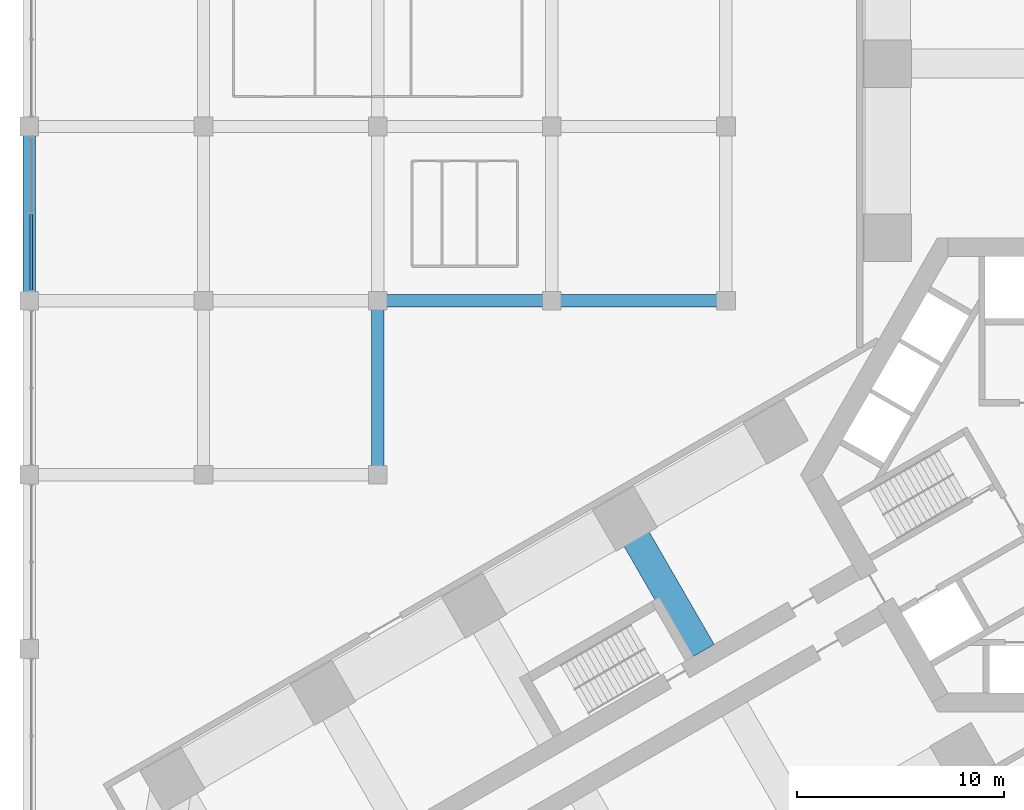
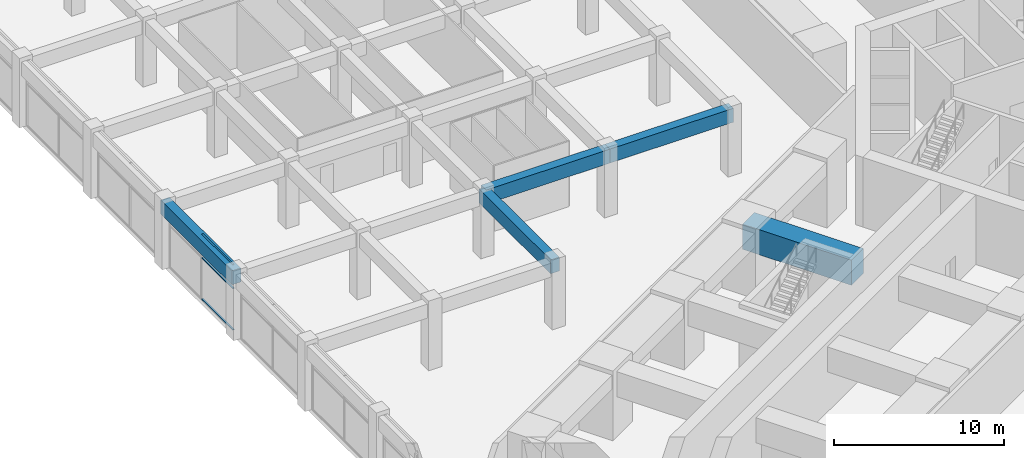
# One storey, part 8 of 36: 5 beams, 3 members, 1 element without a shape of its own.
"""IFC4 building model written with IfcOpenShell, lengths in metres."""

from ifc_helpers import new_model, si_unit, direction, frame, origin, origin_2d, place, context, subcontext, project, spatial, rectangle, extrude, material, material_profile, profile_set, type_object, element, aggregate, save


model = new_model("IFC4")

# Units and contexts
model_context = context("Model", 3, precision=1e-05, world=origin(), true_north=direction((0.0, 1.0)))
body_context = subcontext(model_context, "Body", "Model", "MODEL_VIEW")
ifc_project = project(units=[si_unit("LENGTHUNIT", "METRE"), si_unit("AREAUNIT", "SQUARE_METRE"), si_unit("VOLUMEUNIT", "CUBIC_METRE"), si_unit("PLANEANGLEUNIT", "RADIAN"), si_unit("MASSUNIT", "GRAM", prefix="KILO")], contexts=[model_context])

# Site, building, storey
site_placement = place(None, origin())
site = spatial("IfcSite", under=ifc_project, at=site_placement, CompositionType="ELEMENT")
building_placement = place(site_placement, origin())
building = spatial("IfcBuilding", under=site, at=building_placement, Name="Impinga Residences", CompositionType="ELEMENT")
storey_placement = place(building_placement, frame((0.0, 0.0, 6.0)))
storey = spatial("IfcBuildingStorey", under=building, at=storey_placement, Name="L01", CompositionType="ELEMENT", Elevation=6.0)

# Beam
ifc_material_1 = material(Name="Concrete C60/75", Category="concrete")
ifc_material_profile_1 = material_profile(ifc_material_1, rectangle(XDim=1.39990234375, YDim=1.800048828125, at=origin_2d()), Name="RC 1400x1800")
ifc_profile_set_1 = profile_set([ifc_material_profile_1], Name="Concrete C60/75")
beam_type_1 = type_object("IfcBeamType", Name="CG4 1400x1800 cross girder on a wing bay line under the podium floors", PredefinedType="BEAM", material=ifc_profile_set_1)
beam_1_placement = place(storey_placement, frame((-17.974609375, -8.530029296875, 3.800048828125), z_axis=(-0.500003285667, 0.866023506795, 0.0), x_axis=(-0.866023506795, -0.500003285667, 0.0)))
element("IfcBeam", 1, at=beam_1_placement, inside=storey, type_object=beam_type_1, Name="Beam CG4 W2 WC/WF level L02", PredefinedType="BEAM", context=body_context, shape_type="SweptSolid", body=[
    extrude(rectangle(XDim=1.39990234375, YDim=1.800048828125, at=origin_2d()), origin(), (0.0, 0.0, 1.0), 7.39990234375),
])

# Curtain wall, members
ifc_material_2 = material(Name="Aluminium stick curtain wall", Category="aluminium")
curtain_wall_type = type_object("IfcCurtainWallType", Name="CW1 podium amenity curtain wall", PredefinedType="USERDEFINED", material=ifc_material_2)
curtain_wall_placement = place(storey_placement, origin())
curtain_wall = element("IfcCurtainWall", 2, at=curtain_wall_placement, inside=storey, type_object=curtain_wall_type, Name="Curtain wall CW1 L01", ObjectType="STICK CURTAIN WALL", PredefinedType="USERDEFINED")
ifc_material_3 = material(Name="Aluminium transom", Category="aluminium")
ifc_material_profile_2 = material_profile(ifc_material_3, rectangle(XDim=0.06005859375, YDim=0.1201171875, at=origin_2d()), Name="60x120 transom")
ifc_profile_set_2 = profile_set([ifc_material_profile_2], Name="Aluminium transom")
member_type = type_object("IfcMemberType", Name="CW1-T transom 60x120", PredefinedType="USERDEFINED", material=ifc_profile_set_2)
member_1_placement = place(storey_placement, frame((-50.300048828125, 8.9130859375, 0.030029296875), z_axis=(0.0, 1.0, 0.0), x_axis=(0.0, 0.0, 1.0)))
member_1 = element("IfcMember", 3, at=member_1_placement, type_object=member_type, Name="CW1 transom 1.1", ObjectType="TRANSOM", PredefinedType="USERDEFINED", context=body_context, shape_type="SweptSolid", body=[
    extrude(rectangle(XDim=0.06005859375, YDim=0.1201171875, at=origin_2d()), origin(), (0.0, 0.0, 1.0), 3.656982421875),
])
member_2_placement = place(storey_placement, frame((-50.300048828125, 8.9130859375, 3.0), z_axis=(0.0, 1.0, 0.0), x_axis=(0.0, 0.0, 1.0)))
member_2 = element("IfcMember", 4, at=member_2_placement, type_object=member_type, Name="CW1 transom 1.2", ObjectType="TRANSOM", PredefinedType="USERDEFINED", context=body_context, shape_type="SweptSolid", body=[
    extrude(rectangle(XDim=0.06005859375, YDim=0.1201171875, at=origin_2d()), origin(), (0.0, 0.0, 1.0), 3.656982421875),
])
member_3_placement = place(storey_placement, frame((-50.300048828125, 8.9130859375, 4.669921875), z_axis=(0.0, 1.0, 0.0), x_axis=(0.0, 0.0, 1.0)))
member_3 = element("IfcMember", 5, at=member_3_placement, type_object=member_type, Name="CW1 transom 1.3", ObjectType="TRANSOM", PredefinedType="USERDEFINED", context=body_context, shape_type="SweptSolid", body=[
    extrude(rectangle(XDim=0.06005859375, YDim=0.1201171875, at=origin_2d()), origin(), (0.0, 0.0, 1.0), 3.656982421875),
])
aggregate(curtain_wall, [member_1, member_2, member_3])

# Beams
ifc_material_profile_3 = material_profile(ifc_material_1, rectangle(XDim=0.60009765625, YDim=1.0, at=origin_2d()), Name="RC 600x1000")
ifc_profile_set_3 = profile_set([ifc_material_profile_3], Name="Concrete C60/75")
beam_type_2 = type_object("IfcBeamType", Name="PB2 600x1000 podium beam", PredefinedType="BEAM", material=ifc_profile_set_3)
beam_2_placement = place(storey_placement, frame((-33.60009765625, 8.39990234375, 4.199951171875), z_axis=(1.0, 0.0, 0.0), x_axis=(0.0, 1.0, 0.0)))
element("IfcBeam", 6, at=beam_2_placement, inside=storey, type_object=beam_type_2, Name="Beam PB2 G/3-4 level L02", PredefinedType="BEAM", context=body_context, shape_type="SweptSolid", body=[
    extrude(rectangle(XDim=0.60009765625, YDim=1.0, at=origin_2d()), origin(), (0.0, 0.0, 1.0), 8.400146484375),
])
beam_3_placement = place(storey_placement, frame((-25.199951171875, 8.39990234375, 4.199951171875), z_axis=(1.0, 0.0, 0.0), x_axis=(0.0, 1.0, 0.0)))
element("IfcBeam", 7, at=beam_3_placement, inside=storey, type_object=beam_type_2, Name="Beam PB2 G/4-5 level L02", PredefinedType="BEAM", context=body_context, shape_type="SweptSolid", body=[
    extrude(rectangle(XDim=0.60009765625, YDim=1.0, at=origin_2d()), origin(), (0.0, 0.0, 1.0), 8.39990234375),
])
beam_4_placement = place(storey_placement, frame((-50.39990234375, 8.39990234375, 4.199951171875), z_axis=(0.0, 1.0, 0.0), x_axis=(-1.0, 0.0, 0.0)))
element("IfcBeam", 8, at=beam_4_placement, inside=storey, type_object=beam_type_2, Name="Beam PB2 1/G-H level L02", PredefinedType="BEAM", context=body_context, shape_type="SweptSolid", body=[
    extrude(rectangle(XDim=0.60009765625, YDim=1.0, at=origin_2d()), origin(), (0.0, 0.0, 1.0), 8.400146484375),
])
beam_5_placement = place(storey_placement, frame((-33.60009765625, 0.0, 4.199951171875), z_axis=(0.0, 1.0, 0.0), x_axis=(-1.0, 0.0, 0.0)))
element("IfcBeam", 9, at=beam_5_placement, inside=storey, type_object=beam_type_2, Name="Beam PB2 3/F-G level L02", PredefinedType="BEAM", context=body_context, shape_type="SweptSolid", body=[
    extrude(rectangle(XDim=0.60009765625, YDim=1.0, at=origin_2d()), origin(), (0.0, 0.0, 1.0), 8.39990234375),
])

save(model, "model.ifc")
